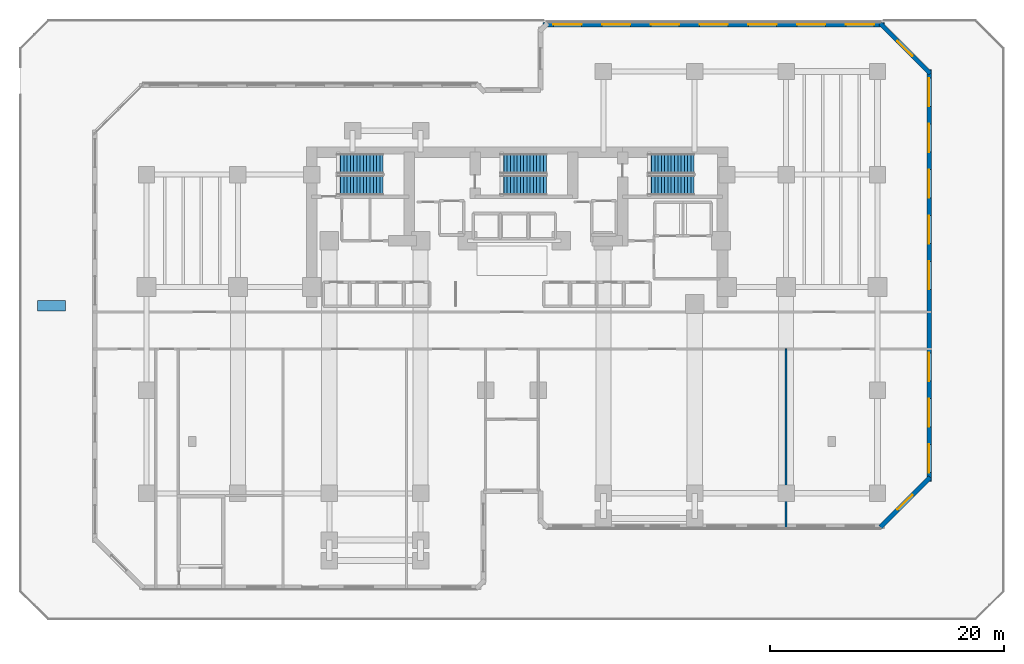
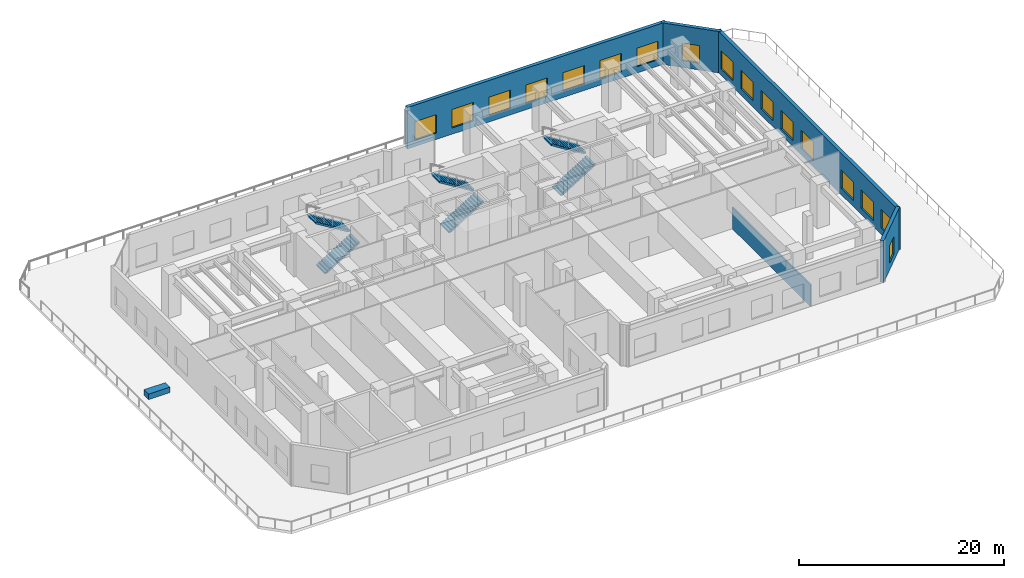
# One storey, part 8 of 13: 17 windows, 6 stair flights, 5 walls, 1 discrete accessory, 17 openings, 3 elements without a shape of their own.
"""IFC4 building model written with IfcOpenShell, lengths in metres."""

from ifc_helpers import new_model, si_unit, direction, frame, frame_2d, origin, origin_2d, place, context, subcontext, project, spatial, polyline, rectangle, outline, extrude, material, layer, layer_set, type_object, element, fill, aggregate, save


model = new_model("IFC4")

# Units and contexts
model_context = context("Model", 3, precision=1e-05, world=origin(), true_north=direction((0.0, 1.0)))
body_context = subcontext(model_context, "Body", "Model", "MODEL_VIEW")
ifc_project = project(units=[si_unit("LENGTHUNIT", "METRE"), si_unit("AREAUNIT", "SQUARE_METRE"), si_unit("VOLUMEUNIT", "CUBIC_METRE"), si_unit("PLANEANGLEUNIT", "RADIAN"), si_unit("MASSUNIT", "GRAM", prefix="KILO")], contexts=[model_context])

# Site, building, storey
site_placement = place(None, origin())
site = spatial("IfcSite", under=ifc_project, at=site_placement, CompositionType="ELEMENT")
building_placement = place(site_placement, origin())
building = spatial("IfcBuilding", under=site, at=building_placement, Name="Kestravale Grand Hotel", CompositionType="ELEMENT")
storey_placement = place(building_placement, frame((0.0, 0.0, 20.800048828125)))
storey = spatial("IfcBuildingStorey", under=building, at=storey_placement, Name="L04", CompositionType="ELEMENT", Elevation=20.800048828125)

# Wall, opening, window
ifc_material_1 = material(Name="Precast concrete f'c 45 MPa", Category="concrete")
ifc_layer_1 = layer(ifc_material_1, 0.3798828125)
ifc_layer_set_1 = layer_set([ifc_layer_1], Name="EW-POD-380")
wall_type_1 = type_object("IfcWallType", Name="EW-POD-380", PredefinedType="SOLIDWALL", material=ifc_layer_set_1)
wall_1_placement = place(storey_placement, frame((70.4375, 8.30615234375, 0.0), z_axis=(0.0, 0.0, 1.0), x_axis=(0.707106781187, 0.707106781187, 0.0)))
wall_1 = element("IfcWall", 1, at=wall_1_placement, inside=storey, type_object=wall_type_1, Name="L04 fluted precast facade wall 8", PredefinedType="SOLIDWALL", context=body_context, shape_type="SweptSolid", body=[
    extrude(rectangle(XDim=6.019287109375, YDim=0.3798828125, at=frame_2d((3.009765625, 0.0))), origin(), (0.0, 0.0, 1.0), 4.93994140625),
])
opening_1_placement = place(wall_1_placement, frame((2.10986328125, 0.0, 0.800048828125)))
opening_1 = element("IfcOpeningElement", 2, at=opening_1_placement, cuts=wall_1, Name="Opening W-POD-1800", PredefinedType="OPENING", context=body_context, shape_type="SweptSolid", body=[
    extrude(rectangle(XDim=1.800048828125, YDim=2.10009765625, at=frame_2d((0.89990234375, 1.050048828125))), frame((0.0, 0.199951171875, 0.0), z_axis=(0.0, -1.0, 0.0), x_axis=(1.0, 0.0, 0.0)), (0.0, 0.0, 1.0), 0.39990234375),
])
ifc_material_2 = material(Name="Insulated low-E double glazing in aluminium frame", Category="aluminium")
window_type_1 = type_object("IfcWindowType", Name="W-POD-1800", PartitioningType="DOUBLE_PANEL_VERTICAL", PredefinedType="WINDOW", material=ifc_material_2)
window_1_placement = place(opening_1_placement, origin())
window_1 = element("IfcWindow", 3, at=window_1_placement, inside=storey, type_object=window_type_1, Name="L04 exterior window 8.1", OverallHeight=2.10009765625, OverallWidth=1.800048828125, PartitioningType="SINGLE_PANEL", PredefinedType="WINDOW", context=body_context, shape_type="SweptSolid", body=[
    extrude(rectangle(XDim=1.800048828125, YDim=2.10009765625, at=frame_2d((0.89990234375, 1.050048828125))), frame((0.0, 0.030029296875, 0.0), z_axis=(0.0, -1.0, 0.0), x_axis=(1.0, 0.0, 0.0)), (0.0, 0.0, 1.0), 0.06005859375),
])
fill(opening_1, window_1)

# Wall, openings, windows
wall_2_placement = place(storey_placement, frame((74.610107421875, 12.2099609375, 0.0), z_axis=(0.0, 0.0, 1.0), x_axis=(0.0, 1.0, 0.0)))
wall_2 = element("IfcWall", 4, at=wall_2_placement, inside=storey, type_object=wall_type_1, Name="L04 fluted precast facade wall 9", PredefinedType="SOLIDWALL", context=body_context, shape_type="SweptSolid", body=[
    extrude(rectangle(XDim=35.179931640625, YDim=0.3798828125, at=frame_2d((17.58984375, 0.0))), origin(), (0.0, 0.0, 1.0), 4.93994140625),
])
opening_2_placement = place(wall_2_placement, frame((0.75439453125, 0.0, 0.75)))
opening_2 = element("IfcOpeningElement", 5, at=opening_2_placement, cuts=wall_2, Name="Opening W-POD-2400", PredefinedType="OPENING", context=body_context, shape_type="SweptSolid", body=[
    extrude(rectangle(XDim=2.39990234375, YDim=2.199951171875, at=frame_2d((1.199951171875, 1.10009765625))), frame((0.0, 0.199951171875, 0.0), z_axis=(0.0, -1.0, 0.0), x_axis=(1.0, 0.0, 0.0)), (0.0, 0.0, 1.0), 0.39990234375),
])
opening_3_placement = place(wall_2_placement, frame((4.663330078125, 0.0, 0.75)))
opening_3 = element("IfcOpeningElement", 6, at=opening_3_placement, cuts=wall_2, Name="Opening W-POD-2400", PredefinedType="OPENING", context=body_context, shape_type="SweptSolid", body=[
    extrude(rectangle(XDim=2.39990234375, YDim=2.199951171875, at=frame_2d((1.199951171875, 1.10009765625))), frame((0.0, 0.199951171875, 0.0), z_axis=(0.0, -1.0, 0.0), x_axis=(1.0, 0.0, 0.0)), (0.0, 0.0, 1.0), 0.39990234375),
])
opening_4_placement = place(wall_2_placement, frame((8.572265625, 0.0, 0.75)))
opening_4 = element("IfcOpeningElement", 7, at=opening_4_placement, cuts=wall_2, Name="Opening W-POD-2400", PredefinedType="OPENING", context=body_context, shape_type="SweptSolid", body=[
    extrude(rectangle(XDim=2.39990234375, YDim=2.199951171875, at=frame_2d((1.199951171875, 1.10009765625))), frame((0.0, 0.199951171875, 0.0), z_axis=(0.0, -1.0, 0.0), x_axis=(1.0, 0.0, 0.0)), (0.0, 0.0, 1.0), 0.39990234375),
])
opening_5_placement = place(wall_2_placement, frame((16.389892578125, 0.0, 0.75)))
opening_5 = element("IfcOpeningElement", 8, at=opening_5_placement, cuts=wall_2, Name="Opening W-POD-2400", PredefinedType="OPENING", context=body_context, shape_type="SweptSolid", body=[
    extrude(rectangle(XDim=2.39990234375, YDim=2.199951171875, at=frame_2d((1.199951171875, 1.10009765625))), frame((0.0, 0.199951171875, 0.0), z_axis=(0.0, -1.0, 0.0), x_axis=(1.0, 0.0, 0.0)), (0.0, 0.0, 1.0), 0.39990234375),
])
opening_6_placement = place(wall_2_placement, frame((20.298828125, 0.0, 0.75)))
opening_6 = element("IfcOpeningElement", 9, at=opening_6_placement, cuts=wall_2, Name="Opening W-POD-2400", PredefinedType="OPENING", context=body_context, shape_type="SweptSolid", body=[
    extrude(rectangle(XDim=2.39990234375, YDim=2.199951171875, at=frame_2d((1.199951171875, 1.10009765625))), frame((0.0, 0.199951171875, 0.0), z_axis=(0.0, -1.0, 0.0), x_axis=(1.0, 0.0, 0.0)), (0.0, 0.0, 1.0), 0.39990234375),
])
opening_7_placement = place(wall_2_placement, frame((24.207763671875, 0.0, 0.75)))
opening_7 = element("IfcOpeningElement", 10, at=opening_7_placement, cuts=wall_2, Name="Opening W-POD-2400", PredefinedType="OPENING", context=body_context, shape_type="SweptSolid", body=[
    extrude(rectangle(XDim=2.39990234375, YDim=2.199951171875, at=frame_2d((1.199951171875, 1.10009765625))), frame((0.0, 0.199951171875, 0.0), z_axis=(0.0, -1.0, 0.0), x_axis=(1.0, 0.0, 0.0)), (0.0, 0.0, 1.0), 0.39990234375),
])
opening_8_placement = place(wall_2_placement, frame((28.11669921875, 0.0, 0.75)))
opening_8 = element("IfcOpeningElement", 11, at=opening_8_placement, cuts=wall_2, Name="Opening W-POD-2400", PredefinedType="OPENING", context=body_context, shape_type="SweptSolid", body=[
    extrude(rectangle(XDim=2.39990234375, YDim=2.199951171875, at=frame_2d((1.199951171875, 1.10009765625))), frame((0.0, 0.199951171875, 0.0), z_axis=(0.0, -1.0, 0.0), x_axis=(1.0, 0.0, 0.0)), (0.0, 0.0, 1.0), 0.39990234375),
])
opening_9_placement = place(wall_2_placement, frame((32.025634765625, 0.0, 0.75)))
opening_9 = element("IfcOpeningElement", 12, at=opening_9_placement, cuts=wall_2, Name="Opening W-POD-2400", PredefinedType="OPENING", context=body_context, shape_type="SweptSolid", body=[
    extrude(rectangle(XDim=2.39990234375, YDim=2.199951171875, at=frame_2d((1.199951171875, 1.10009765625))), frame((0.0, 0.199951171875, 0.0), z_axis=(0.0, -1.0, 0.0), x_axis=(1.0, 0.0, 0.0)), (0.0, 0.0, 1.0), 0.39990234375),
])
ifc_material_3 = material(Name="Insulated low-E double glazing in aluminium frame", Category="aluminium")
window_type_2 = type_object("IfcWindowType", Name="W-POD-2400", PartitioningType="DOUBLE_PANEL_VERTICAL", PredefinedType="WINDOW", material=ifc_material_3)
window_2_placement = place(opening_2_placement, origin())
window_2 = element("IfcWindow", 13, at=window_2_placement, inside=storey, type_object=window_type_2, Name="L04 exterior window 9.1", OverallHeight=2.199951171875, OverallWidth=2.39990234375, PartitioningType="SINGLE_PANEL", PredefinedType="WINDOW", context=body_context, shape_type="SweptSolid", body=[
    extrude(rectangle(XDim=2.39990234375, YDim=2.199951171875, at=frame_2d((1.199951171875, 1.10009765625))), frame((0.0, 0.030029296875, 0.0), z_axis=(0.0, -1.0, 0.0), x_axis=(1.0, 0.0, 0.0)), (0.0, 0.0, 1.0), 0.06005859375),
])
fill(opening_2, window_2)
window_3_placement = place(opening_3_placement, origin())
window_3 = element("IfcWindow", 14, at=window_3_placement, inside=storey, type_object=window_type_2, Name="L04 exterior window 9.2", OverallHeight=2.199951171875, OverallWidth=2.39990234375, PartitioningType="SINGLE_PANEL", PredefinedType="WINDOW", context=body_context, shape_type="SweptSolid", body=[
    extrude(rectangle(XDim=2.39990234375, YDim=2.199951171875, at=frame_2d((1.199951171875, 1.10009765625))), frame((0.0, 0.030029296875, 0.0), z_axis=(0.0, -1.0, 0.0), x_axis=(1.0, 0.0, 0.0)), (0.0, 0.0, 1.0), 0.06005859375),
])
fill(opening_3, window_3)
window_4_placement = place(opening_4_placement, origin())
window_4 = element("IfcWindow", 15, at=window_4_placement, inside=storey, type_object=window_type_2, Name="L04 exterior window 9.3", OverallHeight=2.199951171875, OverallWidth=2.39990234375, PartitioningType="SINGLE_PANEL", PredefinedType="WINDOW", context=body_context, shape_type="SweptSolid", body=[
    extrude(rectangle(XDim=2.39990234375, YDim=2.199951171875, at=frame_2d((1.199951171875, 1.10009765625))), frame((0.0, 0.030029296875, 0.0), z_axis=(0.0, -1.0, 0.0), x_axis=(1.0, 0.0, 0.0)), (0.0, 0.0, 1.0), 0.06005859375),
])
fill(opening_4, window_4)
window_5_placement = place(opening_5_placement, origin())
window_5 = element("IfcWindow", 16, at=window_5_placement, inside=storey, type_object=window_type_2, Name="L04 exterior window 9.4", OverallHeight=2.199951171875, OverallWidth=2.39990234375, PartitioningType="SINGLE_PANEL", PredefinedType="WINDOW", context=body_context, shape_type="SweptSolid", body=[
    extrude(rectangle(XDim=2.39990234375, YDim=2.199951171875, at=frame_2d((1.199951171875, 1.10009765625))), frame((0.0, 0.030029296875, 0.0), z_axis=(0.0, -1.0, 0.0), x_axis=(1.0, 0.0, 0.0)), (0.0, 0.0, 1.0), 0.06005859375),
])
fill(opening_5, window_5)
window_6_placement = place(opening_6_placement, origin())
window_6 = element("IfcWindow", 17, at=window_6_placement, inside=storey, type_object=window_type_2, Name="L04 exterior window 9.5", OverallHeight=2.199951171875, OverallWidth=2.39990234375, PartitioningType="SINGLE_PANEL", PredefinedType="WINDOW", context=body_context, shape_type="SweptSolid", body=[
    extrude(rectangle(XDim=2.39990234375, YDim=2.199951171875, at=frame_2d((1.199951171875, 1.10009765625))), frame((0.0, 0.030029296875, 0.0), z_axis=(0.0, -1.0, 0.0), x_axis=(1.0, 0.0, 0.0)), (0.0, 0.0, 1.0), 0.06005859375),
])
fill(opening_6, window_6)
window_7_placement = place(opening_7_placement, origin())
window_7 = element("IfcWindow", 18, at=window_7_placement, inside=storey, type_object=window_type_2, Name="L04 exterior window 9.6", OverallHeight=2.199951171875, OverallWidth=2.39990234375, PartitioningType="SINGLE_PANEL", PredefinedType="WINDOW", context=body_context, shape_type="SweptSolid", body=[
    extrude(rectangle(XDim=2.39990234375, YDim=2.199951171875, at=frame_2d((1.199951171875, 1.10009765625))), frame((0.0, 0.030029296875, 0.0), z_axis=(0.0, -1.0, 0.0), x_axis=(1.0, 0.0, 0.0)), (0.0, 0.0, 1.0), 0.06005859375),
])
fill(opening_7, window_7)
window_8_placement = place(opening_8_placement, origin())
window_8 = element("IfcWindow", 19, at=window_8_placement, inside=storey, type_object=window_type_2, Name="L04 exterior window 9.7", OverallHeight=2.199951171875, OverallWidth=2.39990234375, PartitioningType="SINGLE_PANEL", PredefinedType="WINDOW", context=body_context, shape_type="SweptSolid", body=[
    extrude(rectangle(XDim=2.39990234375, YDim=2.199951171875, at=frame_2d((1.199951171875, 1.10009765625))), frame((0.0, 0.030029296875, 0.0), z_axis=(0.0, -1.0, 0.0), x_axis=(1.0, 0.0, 0.0)), (0.0, 0.0, 1.0), 0.06005859375),
])
fill(opening_8, window_8)
window_9_placement = place(opening_9_placement, origin())
window_9 = element("IfcWindow", 20, at=window_9_placement, inside=storey, type_object=window_type_2, Name="L04 exterior window 9.8", OverallHeight=2.199951171875, OverallWidth=2.39990234375, PartitioningType="SINGLE_PANEL", PredefinedType="WINDOW", context=body_context, shape_type="SweptSolid", body=[
    extrude(rectangle(XDim=2.39990234375, YDim=2.199951171875, at=frame_2d((1.199951171875, 1.10009765625))), frame((0.0, 0.030029296875, 0.0), z_axis=(0.0, -1.0, 0.0), x_axis=(1.0, 0.0, 0.0)), (0.0, 0.0, 1.0), 0.06005859375),
])
fill(opening_9, window_9)

# Wall, opening, window
wall_3_placement = place(storey_placement, frame((74.69384765625, 47.037353515625, 0.0), z_axis=(0.0, 0.0, 1.0), x_axis=(-0.707086501944, 0.707127059848, 0.0)))
wall_3 = element("IfcWall", 21, at=wall_3_placement, inside=storey, type_object=wall_type_1, Name="L04 fluted precast facade wall 10", PredefinedType="SOLIDWALL", context=body_context, shape_type="SweptSolid", body=[
    extrude(rectangle(XDim=6.01953125, YDim=0.3798828125, at=frame_2d((3.009765625, 0.0))), origin(), (0.0, 0.0, 1.0), 4.93994140625),
])
opening_10_placement = place(wall_3_placement, frame((2.10986328125, 0.0, 0.800048828125)))
opening_10 = element("IfcOpeningElement", 22, at=opening_10_placement, cuts=wall_3, Name="Opening W-POD-1800", PredefinedType="OPENING", context=body_context, shape_type="SweptSolid", body=[
    extrude(rectangle(XDim=1.800048828125, YDim=2.10009765625, at=frame_2d((0.89990234375, 1.050048828125))), frame((0.0, 0.199951171875, 0.0), z_axis=(0.0, -1.0, 0.0), x_axis=(1.0, 0.0, 0.0)), (0.0, 0.0, 1.0), 0.39990234375),
])
window_10_placement = place(opening_10_placement, origin())
window_10 = element("IfcWindow", 23, at=window_10_placement, inside=storey, type_object=window_type_1, Name="L04 exterior window 10.1", OverallHeight=2.10009765625, OverallWidth=1.800048828125, PartitioningType="SINGLE_PANEL", PredefinedType="WINDOW", context=body_context, shape_type="SweptSolid", body=[
    extrude(rectangle(XDim=1.800048828125, YDim=2.10009765625, at=frame_2d((0.89990234375, 1.050048828125))), frame((0.0, 0.030029296875, 0.0), z_axis=(0.0, -1.0, 0.0), x_axis=(1.0, 0.0, 0.0)), (0.0, 0.0, 1.0), 0.06005859375),
])
fill(opening_10, window_10)

# Wall, openings, windows
wall_4_placement = place(storey_placement, frame((70.7900390625, 51.2099609375, 0.0), z_axis=(0.0, 0.0, 1.0), x_axis=(-1.0, 0.0, 0.0)))
wall_4 = element("IfcWall", 24, at=wall_4_placement, inside=storey, type_object=wall_type_1, Name="L04 fluted precast facade wall 11", PredefinedType="SOLIDWALL", context=body_context, shape_type="SweptSolid", body=[
    extrude(rectangle(XDim=29.130126953125, YDim=0.3798828125, at=frame_2d((14.56494140625, 0.0))), origin(), (0.0, 0.0, 1.0), 4.93994140625),
])
opening_11_placement = place(wall_4_placement, frame((0.880615234375, 0.0, 0.75)))
opening_11 = element("IfcOpeningElement", 25, at=opening_11_placement, cuts=wall_4, Name="Opening W-POD-2400", PredefinedType="OPENING", context=body_context, shape_type="SweptSolid", body=[
    extrude(rectangle(XDim=2.39990234375, YDim=2.199951171875, at=frame_2d((1.199951171875, 1.10009765625))), frame((0.0, 0.199951171875, 0.0), z_axis=(0.0, -1.0, 0.0), x_axis=(1.0, 0.0, 0.0)), (0.0, 0.0, 1.0), 0.39990234375),
])
opening_12_placement = place(wall_4_placement, frame((5.0419921875, 0.0, 0.75)))
opening_12 = element("IfcOpeningElement", 26, at=opening_12_placement, cuts=wall_4, Name="Opening W-POD-2400", PredefinedType="OPENING", context=body_context, shape_type="SweptSolid", body=[
    extrude(rectangle(XDim=2.39990234375, YDim=2.199951171875, at=frame_2d((1.199951171875, 1.10009765625))), frame((0.0, 0.199951171875, 0.0), z_axis=(0.0, -1.0, 0.0), x_axis=(1.0, 0.0, 0.0)), (0.0, 0.0, 1.0), 0.39990234375),
])
opening_13_placement = place(wall_4_placement, frame((9.20361328125, 0.0, 0.75)))
opening_13 = element("IfcOpeningElement", 27, at=opening_13_placement, cuts=wall_4, Name="Opening W-POD-2400", PredefinedType="OPENING", context=body_context, shape_type="SweptSolid", body=[
    extrude(rectangle(XDim=2.39990234375, YDim=2.199951171875, at=frame_2d((1.199951171875, 1.10009765625))), frame((0.0, 0.199951171875, 0.0), z_axis=(0.0, -1.0, 0.0), x_axis=(1.0, 0.0, 0.0)), (0.0, 0.0, 1.0), 0.39990234375),
])
opening_14_placement = place(wall_4_placement, frame((13.364990234375, 0.0, 0.75)))
opening_14 = element("IfcOpeningElement", 28, at=opening_14_placement, cuts=wall_4, Name="Opening W-POD-2400", PredefinedType="OPENING", context=body_context, shape_type="SweptSolid", body=[
    extrude(rectangle(XDim=2.39990234375, YDim=2.199951171875, at=frame_2d((1.199951171875, 1.10009765625))), frame((0.0, 0.199951171875, 0.0), z_axis=(0.0, -1.0, 0.0), x_axis=(1.0, 0.0, 0.0)), (0.0, 0.0, 1.0), 0.39990234375),
])
opening_15_placement = place(wall_4_placement, frame((17.5263671875, 0.0, 0.75)))
opening_15 = element("IfcOpeningElement", 29, at=opening_15_placement, cuts=wall_4, Name="Opening W-POD-2400", PredefinedType="OPENING", context=body_context, shape_type="SweptSolid", body=[
    extrude(rectangle(XDim=2.39990234375, YDim=2.199951171875, at=frame_2d((1.199951171875, 1.10009765625))), frame((0.0, 0.199951171875, 0.0), z_axis=(0.0, -1.0, 0.0), x_axis=(1.0, 0.0, 0.0)), (0.0, 0.0, 1.0), 0.39990234375),
])
opening_16_placement = place(wall_4_placement, frame((21.68798828125, 0.0, 0.75)))
opening_16 = element("IfcOpeningElement", 30, at=opening_16_placement, cuts=wall_4, Name="Opening W-POD-2400", PredefinedType="OPENING", context=body_context, shape_type="SweptSolid", body=[
    extrude(rectangle(XDim=2.39990234375, YDim=2.199951171875, at=frame_2d((1.199951171875, 1.10009765625))), frame((0.0, 0.199951171875, 0.0), z_axis=(0.0, -1.0, 0.0), x_axis=(1.0, 0.0, 0.0)), (0.0, 0.0, 1.0), 0.39990234375),
])
opening_17_placement = place(wall_4_placement, frame((25.849365234375, 0.0, 0.75)))
opening_17 = element("IfcOpeningElement", 31, at=opening_17_placement, cuts=wall_4, Name="Opening W-POD-2400", PredefinedType="OPENING", context=body_context, shape_type="SweptSolid", body=[
    extrude(rectangle(XDim=2.39990234375, YDim=2.199951171875, at=frame_2d((1.199951171875, 1.10009765625))), frame((0.0, 0.199951171875, 0.0), z_axis=(0.0, -1.0, 0.0), x_axis=(1.0, 0.0, 0.0)), (0.0, 0.0, 1.0), 0.39990234375),
])
window_11_placement = place(opening_11_placement, origin())
window_11 = element("IfcWindow", 32, at=window_11_placement, inside=storey, type_object=window_type_2, Name="L04 exterior window 11.1", OverallHeight=2.199951171875, OverallWidth=2.39990234375, PartitioningType="SINGLE_PANEL", PredefinedType="WINDOW", context=body_context, shape_type="SweptSolid", body=[
    extrude(rectangle(XDim=2.39990234375, YDim=2.199951171875, at=frame_2d((1.199951171875, 1.10009765625))), frame((0.0, 0.030029296875, 0.0), z_axis=(0.0, -1.0, 0.0), x_axis=(1.0, 0.0, 0.0)), (0.0, 0.0, 1.0), 0.06005859375),
])
fill(opening_11, window_11)
window_12_placement = place(opening_12_placement, origin())
window_12 = element("IfcWindow", 33, at=window_12_placement, inside=storey, type_object=window_type_2, Name="L04 exterior window 11.2", OverallHeight=2.199951171875, OverallWidth=2.39990234375, PartitioningType="SINGLE_PANEL", PredefinedType="WINDOW", context=body_context, shape_type="SweptSolid", body=[
    extrude(rectangle(XDim=2.39990234375, YDim=2.199951171875, at=frame_2d((1.199951171875, 1.10009765625))), frame((0.0, 0.030029296875, 0.0), z_axis=(0.0, -1.0, 0.0), x_axis=(1.0, 0.0, 0.0)), (0.0, 0.0, 1.0), 0.06005859375),
])
fill(opening_12, window_12)
window_13_placement = place(opening_13_placement, origin())
window_13 = element("IfcWindow", 34, at=window_13_placement, inside=storey, type_object=window_type_2, Name="L04 exterior window 11.3", OverallHeight=2.199951171875, OverallWidth=2.39990234375, PartitioningType="SINGLE_PANEL", PredefinedType="WINDOW", context=body_context, shape_type="SweptSolid", body=[
    extrude(rectangle(XDim=2.39990234375, YDim=2.199951171875, at=frame_2d((1.199951171875, 1.10009765625))), frame((0.0, 0.030029296875, 0.0), z_axis=(0.0, -1.0, 0.0), x_axis=(1.0, 0.0, 0.0)), (0.0, 0.0, 1.0), 0.06005859375),
])
fill(opening_13, window_13)
window_14_placement = place(opening_14_placement, origin())
window_14 = element("IfcWindow", 35, at=window_14_placement, inside=storey, type_object=window_type_2, Name="L04 exterior window 11.4", OverallHeight=2.199951171875, OverallWidth=2.39990234375, PartitioningType="SINGLE_PANEL", PredefinedType="WINDOW", context=body_context, shape_type="SweptSolid", body=[
    extrude(rectangle(XDim=2.39990234375, YDim=2.199951171875, at=frame_2d((1.199951171875, 1.10009765625))), frame((0.0, 0.030029296875, 0.0), z_axis=(0.0, -1.0, 0.0), x_axis=(1.0, 0.0, 0.0)), (0.0, 0.0, 1.0), 0.06005859375),
])
fill(opening_14, window_14)
window_15_placement = place(opening_15_placement, origin())
window_15 = element("IfcWindow", 36, at=window_15_placement, inside=storey, type_object=window_type_2, Name="L04 exterior window 11.5", OverallHeight=2.199951171875, OverallWidth=2.39990234375, PartitioningType="SINGLE_PANEL", PredefinedType="WINDOW", context=body_context, shape_type="SweptSolid", body=[
    extrude(rectangle(XDim=2.39990234375, YDim=2.199951171875, at=frame_2d((1.199951171875, 1.10009765625))), frame((0.0, 0.030029296875, 0.0), z_axis=(0.0, -1.0, 0.0), x_axis=(1.0, 0.0, 0.0)), (0.0, 0.0, 1.0), 0.06005859375),
])
fill(opening_15, window_15)
window_16_placement = place(opening_16_placement, origin())
window_16 = element("IfcWindow", 37, at=window_16_placement, inside=storey, type_object=window_type_2, Name="L04 exterior window 11.6", OverallHeight=2.199951171875, OverallWidth=2.39990234375, PartitioningType="SINGLE_PANEL", PredefinedType="WINDOW", context=body_context, shape_type="SweptSolid", body=[
    extrude(rectangle(XDim=2.39990234375, YDim=2.199951171875, at=frame_2d((1.199951171875, 1.10009765625))), frame((0.0, 0.030029296875, 0.0), z_axis=(0.0, -1.0, 0.0), x_axis=(1.0, 0.0, 0.0)), (0.0, 0.0, 1.0), 0.06005859375),
])
fill(opening_16, window_16)
window_17_placement = place(opening_17_placement, origin())
window_17 = element("IfcWindow", 38, at=window_17_placement, inside=storey, type_object=window_type_2, Name="L04 exterior window 11.7", OverallHeight=2.199951171875, OverallWidth=2.39990234375, PartitioningType="SINGLE_PANEL", PredefinedType="WINDOW", context=body_context, shape_type="SweptSolid", body=[
    extrude(rectangle(XDim=2.39990234375, YDim=2.199951171875, at=frame_2d((1.199951171875, 1.10009765625))), frame((0.0, 0.030029296875, 0.0), z_axis=(0.0, -1.0, 0.0), x_axis=(1.0, 0.0, 0.0)), (0.0, 0.0, 1.0), 0.06005859375),
])
fill(opening_17, window_17)

# Wall
ifc_material_4 = material(Name="Double-stud STC 52 acoustic demising partition", Category="other")
ifc_layer_2 = layer(ifc_material_4, 0.14990234375)
ifc_layer_set_2 = layer_set([ifc_layer_2], Name="IW-UNIT-150")
wall_type_2 = type_object("IfcWallType", Name="IW-UNIT-150", PredefinedType="PARTITIONING", material=ifc_layer_set_2)
wall_5_placement = place(storey_placement, frame((62.39990234375, 8.219970703125, 0.0), z_axis=(0.0, 0.0, 1.0), x_axis=(0.0, 1.0, 0.0)))
element("IfcWall", 39, at=wall_5_placement, inside=storey, type_object=wall_type_2, Name="W-L04-SD-3", PredefinedType="PARTITIONING", context=body_context, shape_type="SweptSolid", body=[
    extrude(rectangle(XDim=15.300048828125, YDim=0.14990234375, at=frame_2d((7.64990234375, 0.0))), origin(), (0.0, 0.0, 1.0), 2.5400390625),
])

# Stair, stair flights
ifc_material_5 = material(Name="Concrete f'c 45 MPa", Category="concrete")
stair_type = type_object("IfcStairType", Name="ST-CORE-520", PredefinedType="HALF_TURN_STAIR", material=ifc_material_5)
stair_1_placement = place(storey_placement, origin())
stair_1 = element("IfcStair", 40, at=stair_1_placement, inside=storey, type_object=stair_type, Name="L04 ST-1", PredefinedType="HALF_TURN_STAIR")
ifc_material_6 = material(Name="Concrete f'c 45 MPa", Category="concrete")
stair_flight_type = type_object("IfcStairFlightType", Name="STF-CORE-520", PredefinedType="STRAIGHT", material=ifc_material_6)
stair_flight_1_placement = place(storey_placement, frame((24.080078125, 37.489990234375, 0.0), z_axis=(0.0, 0.0, 1.0), x_axis=(1.0, 0.0, 0.0)))
stair_flight_1 = element("IfcStairFlight", 41, at=stair_flight_1_placement, type_object=stair_flight_type, Name="ST-1 flight 1", NumberOfRisers=15, NumberOfTreads=14, PredefinedType="STRAIGHT", RiserHeight=0.173333333, TreadLength=0.28, context=body_context, shape_type="SweptSolid", body=[
    extrude(outline(polyline([(0.0, 0.0), (0.0, 0.17333984375), (0.280029296875, 0.17333984375), (0.280029296875, 0.3466796875), (0.56005859375, 0.3466796875), (0.56005859375, 0.52001953125), (0.840087890625, 0.52001953125), (0.840087890625, 0.693359375), (1.1201171875, 0.693359375), (1.1201171875, 0.86669921875), (1.39990234375, 0.86669921875), (1.39990234375, 1.0400390625), (1.679931640625, 1.0400390625), (1.679931640625, 1.21337890625), (1.9599609375, 1.21337890625), (1.9599609375, 1.38671875), (2.239990234375, 1.38671875), (2.239990234375, 1.56005859375), (2.52001953125, 1.56005859375), (2.52001953125, 1.7333984375), (2.800048828125, 1.7333984375), (2.800048828125, 1.90673828125), (3.080078125, 1.90673828125), (3.080078125, 2.080078125), (3.360107421875, 2.080078125), (3.360107421875, 2.25341796875), (3.639892578125, 2.25341796875), (3.639892578125, 2.4267578125), (3.919921875, 2.4267578125), (3.919921875, 2.60009765625), (3.919921875, 2.250244140625), (0.284912109375, 0.0), (0.0, 0.0)])), frame((0.0, 0.83984375, 0.0), z_axis=(0.0, -1.0, 0.0), x_axis=(1.0, 0.0, 0.0)), (0.0, 0.0, 1.0), 1.679931640625),
])
stair_flight_2_placement = place(storey_placement, frame((28.0, 39.320068359375, 2.599853515625), z_axis=(0.0, 0.0, 1.0), x_axis=(-1.0, 0.0, 0.0)))
stair_flight_2 = element("IfcStairFlight", 42, at=stair_flight_2_placement, type_object=stair_flight_type, Name="ST-1 flight 2", NumberOfRisers=15, NumberOfTreads=14, PredefinedType="STRAIGHT", RiserHeight=0.173333333, TreadLength=0.28, context=body_context, shape_type="SweptSolid", body=[
    extrude(outline(polyline([(0.0, 0.0), (0.0, 0.17333984375), (0.280029296875, 0.17333984375), (0.280029296875, 0.3466796875), (0.56005859375, 0.3466796875), (0.56005859375, 0.52001953125), (0.840087890625, 0.52001953125), (0.840087890625, 0.693359375), (1.1201171875, 0.693359375), (1.1201171875, 0.86669921875), (1.39990234375, 0.86669921875), (1.39990234375, 1.0400390625), (1.679931640625, 1.0400390625), (1.679931640625, 1.21337890625), (1.9599609375, 1.21337890625), (1.9599609375, 1.38671875), (2.239990234375, 1.38671875), (2.239990234375, 1.56005859375), (2.52001953125, 1.56005859375), (2.52001953125, 1.7333984375), (2.800048828125, 1.7333984375), (2.800048828125, 1.90673828125), (3.080078125, 1.90673828125), (3.080078125, 2.080078125), (3.360107421875, 2.080078125), (3.360107421875, 2.25341796875), (3.639892578125, 2.25341796875), (3.639892578125, 2.4267578125), (3.919921875, 2.4267578125), (3.919921875, 2.60009765625), (3.919921875, 2.250244140625), (0.284912109375, 0.0), (0.0, 0.0)])), frame((0.0, 0.83984375, 0.0), z_axis=(0.0, -1.0, 0.0), x_axis=(1.0, 0.0, 0.0)), (0.0, 0.0, 1.0), 1.679931640625),
])
aggregate(stair_1, [stair_flight_1, stair_flight_2])

stair_2_placement = place(storey_placement, origin())
stair_2 = element("IfcStair", 43, at=stair_2_placement, inside=storey, type_object=stair_type, Name="L04 ST-2", PredefinedType="HALF_TURN_STAIR")
stair_flight_3_placement = place(storey_placement, frame((38.030029296875, 37.489990234375, 0.0), z_axis=(0.0, 0.0, 1.0), x_axis=(1.0, 0.0, 0.0)))
stair_flight_3 = element("IfcStairFlight", 44, at=stair_flight_3_placement, type_object=stair_flight_type, Name="ST-2 flight 1", NumberOfRisers=15, NumberOfTreads=14, PredefinedType="STRAIGHT", RiserHeight=0.173333333, TreadLength=0.28, context=body_context, shape_type="SweptSolid", body=[
    extrude(outline(polyline([(0.0, 0.0), (0.0, 0.17333984375), (0.280029296875, 0.17333984375), (0.280029296875, 0.3466796875), (0.56005859375, 0.3466796875), (0.56005859375, 0.52001953125), (0.840087890625, 0.52001953125), (0.840087890625, 0.693359375), (1.1201171875, 0.693359375), (1.1201171875, 0.86669921875), (1.39990234375, 0.86669921875), (1.39990234375, 1.0400390625), (1.679931640625, 1.0400390625), (1.679931640625, 1.21337890625), (1.9599609375, 1.21337890625), (1.9599609375, 1.38671875), (2.239990234375, 1.38671875), (2.239990234375, 1.56005859375), (2.52001953125, 1.56005859375), (2.52001953125, 1.7333984375), (2.800048828125, 1.7333984375), (2.800048828125, 1.90673828125), (3.080078125, 1.90673828125), (3.080078125, 2.080078125), (3.360107421875, 2.080078125), (3.360107421875, 2.25341796875), (3.639892578125, 2.25341796875), (3.639892578125, 2.4267578125), (3.919921875, 2.4267578125), (3.919921875, 2.60009765625), (3.919921875, 2.250244140625), (0.284912109375, 0.0), (0.0, 0.0)])), frame((0.0, 0.83984375, 0.0), z_axis=(0.0, -1.0, 0.0), x_axis=(1.0, 0.0, 0.0)), (0.0, 0.0, 1.0), 1.679931640625),
])
stair_flight_4_placement = place(storey_placement, frame((41.949951171875, 39.320068359375, 2.599853515625), z_axis=(0.0, 0.0, 1.0), x_axis=(-1.0, 0.0, 0.0)))
stair_flight_4 = element("IfcStairFlight", 45, at=stair_flight_4_placement, type_object=stair_flight_type, Name="ST-2 flight 2", NumberOfRisers=15, NumberOfTreads=14, PredefinedType="STRAIGHT", RiserHeight=0.173333333, TreadLength=0.28, context=body_context, shape_type="SweptSolid", body=[
    extrude(outline(polyline([(0.0, 0.0), (0.0, 0.17333984375), (0.280029296875, 0.17333984375), (0.280029296875, 0.3466796875), (0.56005859375, 0.3466796875), (0.56005859375, 0.52001953125), (0.840087890625, 0.52001953125), (0.840087890625, 0.693359375), (1.1201171875, 0.693359375), (1.1201171875, 0.86669921875), (1.39990234375, 0.86669921875), (1.39990234375, 1.0400390625), (1.679931640625, 1.0400390625), (1.679931640625, 1.21337890625), (1.9599609375, 1.21337890625), (1.9599609375, 1.38671875), (2.239990234375, 1.38671875), (2.239990234375, 1.56005859375), (2.52001953125, 1.56005859375), (2.52001953125, 1.7333984375), (2.800048828125, 1.7333984375), (2.800048828125, 1.90673828125), (3.080078125, 1.90673828125), (3.080078125, 2.080078125), (3.360107421875, 2.080078125), (3.360107421875, 2.25341796875), (3.639892578125, 2.25341796875), (3.639892578125, 2.4267578125), (3.919921875, 2.4267578125), (3.919921875, 2.60009765625), (3.919921875, 2.250244140625), (0.284912109375, 0.0), (0.0, 0.0)])), frame((0.0, 0.83984375, 0.0), z_axis=(0.0, -1.0, 0.0), x_axis=(1.0, 0.0, 0.0)), (0.0, 0.0, 1.0), 1.679931640625),
])
aggregate(stair_2, [stair_flight_3, stair_flight_4])

stair_3_placement = place(storey_placement, origin())
stair_3 = element("IfcStair", 46, at=stair_3_placement, inside=storey, type_object=stair_type, Name="L04 ST-3", PredefinedType="HALF_TURN_STAIR")
stair_flight_5_placement = place(storey_placement, frame((50.6298828125, 37.489990234375, 0.0), z_axis=(0.0, 0.0, 1.0), x_axis=(1.0, 0.0, 0.0)))
stair_flight_5 = element("IfcStairFlight", 47, at=stair_flight_5_placement, type_object=stair_flight_type, Name="ST-3 flight 1", NumberOfRisers=15, NumberOfTreads=14, PredefinedType="STRAIGHT", RiserHeight=0.173333333, TreadLength=0.28, context=body_context, shape_type="SweptSolid", body=[
    extrude(outline(polyline([(0.0, 0.0), (0.0, 0.17333984375), (0.280029296875, 0.17333984375), (0.280029296875, 0.3466796875), (0.56005859375, 0.3466796875), (0.56005859375, 0.52001953125), (0.840087890625, 0.52001953125), (0.840087890625, 0.693359375), (1.1201171875, 0.693359375), (1.1201171875, 0.86669921875), (1.39990234375, 0.86669921875), (1.39990234375, 1.0400390625), (1.679931640625, 1.0400390625), (1.679931640625, 1.21337890625), (1.9599609375, 1.21337890625), (1.9599609375, 1.38671875), (2.239990234375, 1.38671875), (2.239990234375, 1.56005859375), (2.52001953125, 1.56005859375), (2.52001953125, 1.7333984375), (2.800048828125, 1.7333984375), (2.800048828125, 1.90673828125), (3.080078125, 1.90673828125), (3.080078125, 2.080078125), (3.360107421875, 2.080078125), (3.360107421875, 2.25341796875), (3.639892578125, 2.25341796875), (3.639892578125, 2.4267578125), (3.919921875, 2.4267578125), (3.919921875, 2.60009765625), (3.919921875, 2.250244140625), (0.284912109375, 0.0), (0.0, 0.0)])), frame((0.0, 0.83984375, 0.0), z_axis=(0.0, -1.0, 0.0), x_axis=(1.0, 0.0, 0.0)), (0.0, 0.0, 1.0), 1.679931640625),
])
stair_flight_6_placement = place(storey_placement, frame((54.550048828125, 39.320068359375, 2.599853515625), z_axis=(0.0, 0.0, 1.0), x_axis=(-1.0, 0.0, 0.0)))
stair_flight_6 = element("IfcStairFlight", 48, at=stair_flight_6_placement, type_object=stair_flight_type, Name="ST-3 flight 2", NumberOfRisers=15, NumberOfTreads=14, PredefinedType="STRAIGHT", RiserHeight=0.173333333, TreadLength=0.28, context=body_context, shape_type="SweptSolid", body=[
    extrude(outline(polyline([(0.0, 0.0), (0.0, 0.17333984375), (0.280029296875, 0.17333984375), (0.280029296875, 0.3466796875), (0.56005859375, 0.3466796875), (0.56005859375, 0.52001953125), (0.840087890625, 0.52001953125), (0.840087890625, 0.693359375), (1.1201171875, 0.693359375), (1.1201171875, 0.86669921875), (1.39990234375, 0.86669921875), (1.39990234375, 1.0400390625), (1.679931640625, 1.0400390625), (1.679931640625, 1.21337890625), (1.9599609375, 1.21337890625), (1.9599609375, 1.38671875), (2.239990234375, 1.38671875), (2.239990234375, 1.56005859375), (2.52001953125, 1.56005859375), (2.52001953125, 1.7333984375), (2.800048828125, 1.7333984375), (2.800048828125, 1.90673828125), (3.080078125, 1.90673828125), (3.080078125, 2.080078125), (3.360107421875, 2.080078125), (3.360107421875, 2.25341796875), (3.639892578125, 2.25341796875), (3.639892578125, 2.4267578125), (3.919921875, 2.4267578125), (3.919921875, 2.60009765625), (3.919921875, 2.250244140625), (0.284912109375, 0.0), (0.0, 0.0)])), frame((0.0, 0.83984375, 0.0), z_axis=(0.0, -1.0, 0.0), x_axis=(1.0, 0.0, 0.0)), (0.0, 0.0, 1.0), 1.679931640625),
])
aggregate(stair_3, [stair_flight_5, stair_flight_6])

# Discrete accessory
ifc_material_7 = material(Name="Architectural precast concrete planter with xeriscape soil", Category="concrete")
discrete_accessory_type = type_object("IfcDiscreteAccessoryType", Name="ACC-PLN-GDN", PredefinedType="USERDEFINED", material=ifc_material_7)
discrete_accessory_placement = place(storey_placement, frame((-0.300048828125, 27.199951171875, -0.0048828125), z_axis=(0.0, 0.0, 1.0), x_axis=(1.0, 0.0, 0.0)))
element("IfcDiscreteAccessory", 49, at=discrete_accessory_placement, inside=storey, type_object=discrete_accessory_type, Name="L04 landscaped garden planter 1", ObjectType="PLANTER", PredefinedType="USERDEFINED", context=body_context, shape_type="SweptSolid", body=[
    extrude(rectangle(XDim=2.39990234375, YDim=0.89990234375, at=origin_2d()), origin(), (0.0, 0.0, 1.0), 0.64990234375),
])

save(model, "model.ifc")
